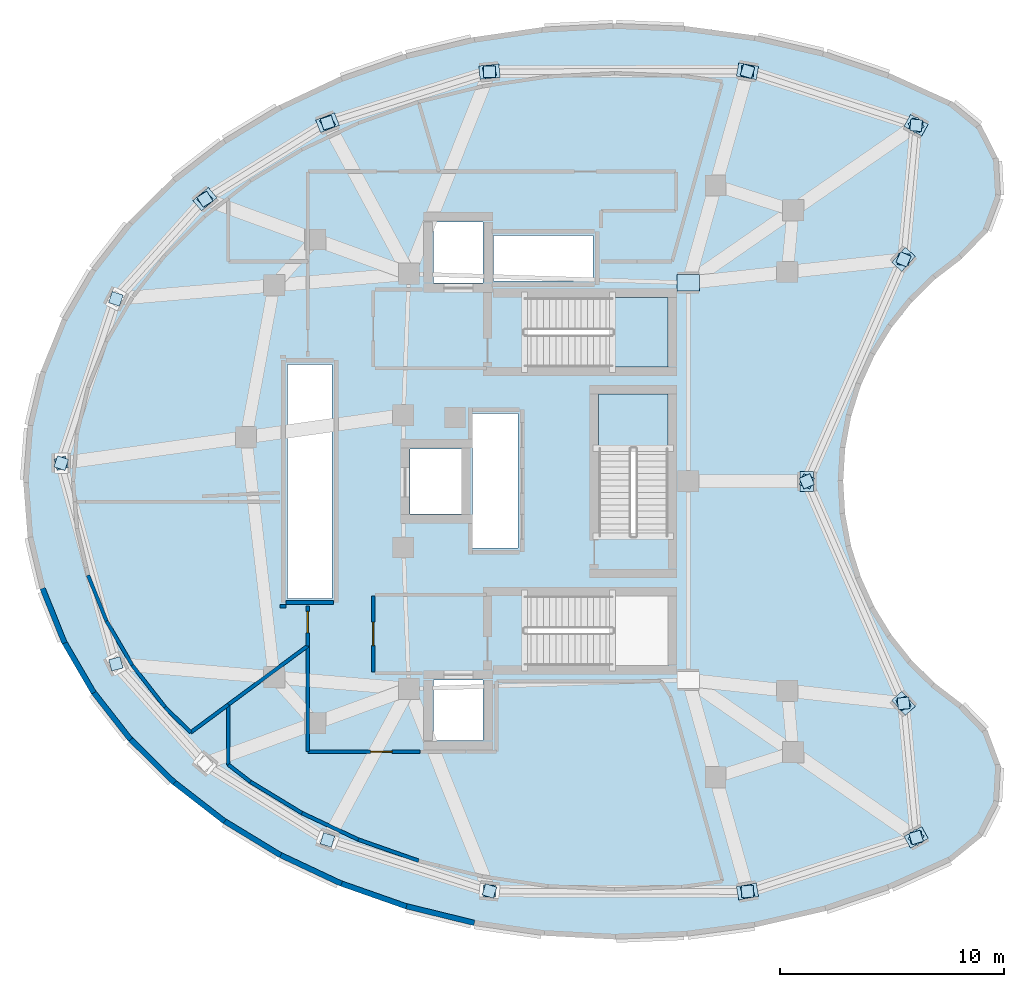
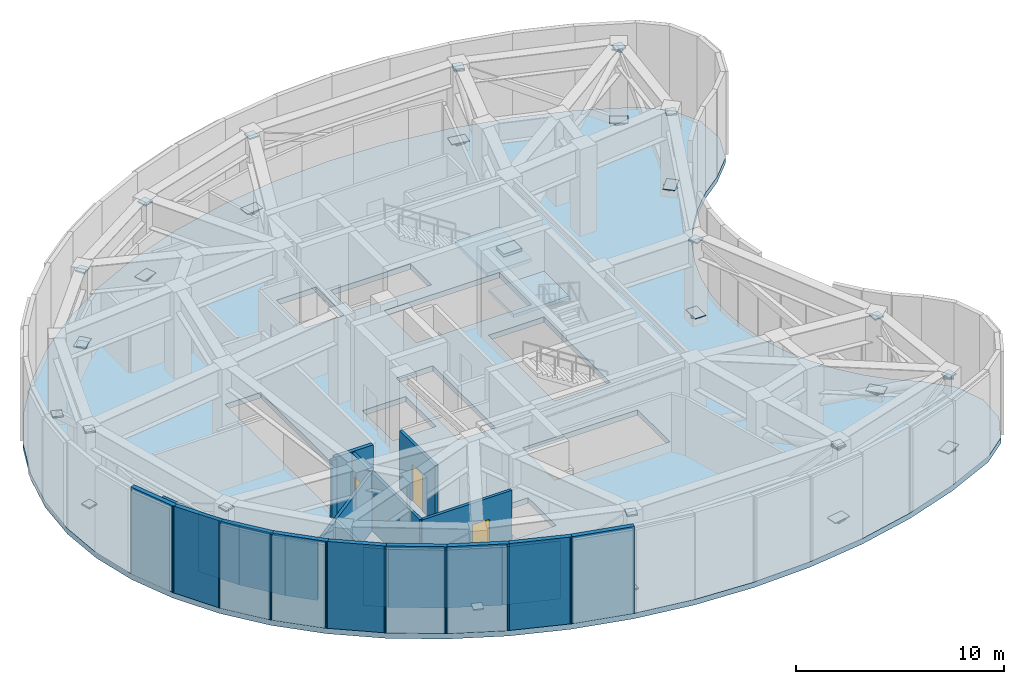
# One storey, part 3 of 9: 43 plates, 26 walls, 3 doors, 3 slabs, 3 openings, 2 elements without a shape of their own.
"""IFC4 building model written with IfcOpenShell, lengths in metres."""

from ifc_helpers import new_model, si_unit, direction, frame, frame_2d, origin, origin_2d, place, context, subcontext, project, spatial, polyline, rectangle, outline, extrude, material, layer, layer_set, type_object, element, fill, aggregate, save


model = new_model("IFC4")

# Units and contexts
model_context = context("Model", 3, precision=1e-05, world=origin(), true_north=direction((0.0, 1.0)))
body_context = subcontext(model_context, "Body", "Model", "MODEL_VIEW")
ifc_project = project(units=[si_unit("LENGTHUNIT", "METRE"), si_unit("AREAUNIT", "SQUARE_METRE"), si_unit("VOLUMEUNIT", "CUBIC_METRE"), si_unit("PLANEANGLEUNIT", "RADIAN"), si_unit("MASSUNIT", "GRAM", prefix="KILO")], contexts=[model_context])

# Site, building, storey
site_placement = place(None, origin())
site = spatial("IfcSite", under=ifc_project, at=site_placement, CompositionType="ELEMENT")
building_placement = place(site_placement, origin())
building = spatial("IfcBuilding", under=site, at=building_placement, Name="Korentha Bioscience Tower", CompositionType="ELEMENT")
storey_placement = place(building_placement, frame((0.0, 0.0, 277.199951171875)))
storey = spatial("IfcBuildingStorey", under=building, at=storey_placement, Name="L64", CompositionType="ELEMENT", Elevation=277.199951171875)

# Plates
ifc_material_1 = material(Name="Steel S355", Category="steel")
ifc_layer_1 = layer(ifc_material_1, 0.031982421875, Name="Steel S355")
ifc_layer_set_1 = layer_set([ifc_layer_1], Name="Steel S355 (KN-01)")
plate_type_1 = type_object("IfcPlateType", Name="Belt-Truss Kink Gusset Plate 900x600x32", PredefinedType="USERDEFINED", material=ifc_layer_set_1)
for number, where, z_axis, x_axis, name in (
    (1, (47.7060546875, 42.873046875, 0.43408203125), (0.0, 0.0, 1.0), (-0.874535078577, 0.484962262797, 0.0), "L64 Belt-Truss Kink Node Gusset KN-01"),
    (2, (40.189453125, 45.2822265625, 0.43408203125), (0.0, 0.0, 1.0), (-0.984868307662, 0.173304404339, 0.0), "L64 Belt-Truss Kink Node Gusset KN-02"),
    (3, (28.68798828125, 45.2607421875, 0.43408203125), (0.0, 0.0, 1.0), (0.995462868748, 0.095150811579, 0.0), "L64 Belt-Truss Kink Node Gusset KN-03"),
    (4, (21.468505859375, 42.986328125, 0.43408203125), (0.0, 0.0, 1.0), (0.930225540858, 0.366988341962, 0.0), "L64 Belt-Truss Kink Node Gusset KN-04"),
    (5, (16.002685546875, 39.57861328125, 0.43408203125), (0.0, 0.0, 1.0), (0.764246456939, 0.644924300253, 0.0), "L64 Belt-Truss Kink Node Gusset KN-05"),
    (6, (40.189453125, 8.7177734375, 0.43408203125), (0.0, 0.0, 1.0), (0.984868307662, 0.173304404339, 0.0), "L64 Belt-Truss Kink Node Gusset KN-12"),
    (7, (47.7060546875, 11.126953125, 0.43408203125), (0.0, 0.0, 1.0), (0.874535078577, 0.484962262797, 0.0), "L64 Belt-Truss Kink Node Gusset KN-13"),
    (8, (47.1455078125, 17.1044921875, 0.43408203125), (0.0, 0.0, 1.0), (-0.669130606359, 0.743144825477, 0.0), "L64 Belt-Truss Kink Node Gusset KN-14"),
    (9, (42.833984375, 27.0, 0.43408203125), (0.0, 0.0, 1.0), (0.0, 1.0, 0.0), "L64 Belt-Truss Kink Node Gusset KN-15"),
    (10, (47.1455078125, 36.8955078125, 0.43408203125), (0.0, 0.0, 1.0), (0.669130606359, 0.743144825477, 0.0), "L64 Belt-Truss Kink Node Gusset KN-16"),
):
    element("IfcPlate", number, at=place(storey_placement, frame(where, z_axis=z_axis, x_axis=x_axis)), inside=storey, type_object=plate_type_1, Name=name, ObjectType="GUSSET_PLATE", PredefinedType="USERDEFINED", context=body_context, shape_type="SweptSolid", body=[
        extrude(rectangle(XDim=0.89990234375, YDim=0.60009765625, at=origin_2d()), origin(), (0.0, 0.0, 1.0), 0.031982421875),
    ])
ifc_layer_2 = layer(ifc_material_1, 0.080078125, Name="Steel S355")
ifc_layer_set_2 = layer_set([ifc_layer_2], Name="Steel S355 (CP-01)")
plate_type_2 = type_object("IfcPlateType", Name="Hollow Section End Cap Plate 520x520x80", PredefinedType="USERDEFINED", material=ifc_layer_set_2)
for number, where, z_axis, x_axis, name in (
    (11, (47.7060546875, 42.873046875, 0.31005859375), (0.0, 0.0, 1.0), (-0.952289323906, 0.305196729298, 0.0), "L64 Belt-Truss 01 End Cap 1"),
    (12, (40.189453125, 45.2822265625, 4.7099609375), (0.0, 0.0, 1.0), (-0.952289323906, 0.305196729298, 0.0), "L64 Belt-Truss 01 End Cap 2"),
    (13, (40.189453125, 45.2822265625, 0.31005859375), (0.0, 0.0, 1.0), (0.999998157065, 0.001919860998, 0.0), "L64 Belt-Truss 02 End Cap 1"),
    (14, (28.68798828125, 45.2607421875, 4.7099609375), (0.0, 0.0, 1.0), (0.999998157065, 0.001919860998, 0.0), "L64 Belt-Truss 02 End Cap 2"),
    (15, (28.68798828125, 45.2607421875, 0.31005859375), (0.0, 0.0, 1.0), (0.953769419285, 0.300539339916, 0.0), "L64 Belt-Truss 03 End Cap 1"),
    (16, (21.468505859375, 42.986328125, 4.7099609375), (0.0, 0.0, 1.0), (0.953769419285, 0.300539339916, 0.0), "L64 Belt-Truss 03 End Cap 2"),
    (17, (21.468505859375, 42.986328125, 0.31005859375), (0.0, 0.0, 1.0), (0.848602561216, 0.529030899945, 0.0), "L64 Belt-Truss 04 End Cap 1"),
    (18, (16.002685546875, 39.57861328125, 4.7099609375), (0.0, 0.0, 1.0), (0.848602561216, 0.529030899945, 0.0), "L64 Belt-Truss 04 End Cap 2"),
    (19, (16.002685546875, 39.57861328125, 0.31005859375), (0.0, 0.0, 1.0), (0.66614204858, 0.745824893064, 0.0), "L64 Belt-Truss 05 End Cap 1"),
    (20, (12.034423828125, 35.135986328125, 0.31005859375), (0.0, 0.0, 1.0), (0.315649036947, 0.948876011644, 0.0), "L64 Belt-Truss 06 End Cap 1"),
    (21, (9.597412109375, 27.810302734375, 4.7099609375), (0.0, 0.0, 1.0), (0.315649036947, 0.948876011644, 0.0), "L64 Belt-Truss 06 End Cap 2"),
    (22, (9.597412109375, 27.810302734375, 0.31005859375), (0.0, 0.0, 1.0), (-0.262862823299, 0.964833216741, 0.0), "L64 Belt-Truss 07 End Cap 1"),
    (23, (12.034423828125, 18.864013671875, 4.7099609375), (0.0, 0.0, 1.0), (-0.262862823299, 0.964833216741, 0.0), "L64 Belt-Truss 07 End Cap 2"),
    (24, (21.468505859375, 11.013671875, 0.31005859375), (0.0, 0.0, 1.0), (-0.953769419285, 0.300539339916, 0.0), "L64 Belt-Truss 10 End Cap 1"),
    (25, (28.68798828125, 8.7392578125, 4.7099609375), (0.0, 0.0, 1.0), (-0.953769419285, 0.300539339916, 0.0), "L64 Belt-Truss 10 End Cap 2"),
    (26, (28.68798828125, 8.7392578125, 0.31005859375), (0.0, 0.0, 1.0), (-0.999998157065, 0.001919860998, 0.0), "L64 Belt-Truss 11 End Cap 1"),
    (27, (40.189453125, 8.7177734375, 4.7099609375), (0.0, 0.0, 1.0), (-0.999998157065, 0.001919860998, 0.0), "L64 Belt-Truss 11 End Cap 2"),
    (28, (40.189453125, 8.7177734375, 0.31005859375), (0.0, 0.0, 1.0), (0.952289323906, 0.305196729298, 0.0), "L64 Belt-Truss 12 End Cap 1"),
    (29, (47.7060546875, 11.126953125, 4.7099609375), (0.0, 0.0, 1.0), (0.952289323906, 0.305196729298, 0.0), "L64 Belt-Truss 12 End Cap 2"),
    (30, (47.7060546875, 11.126953125, 0.31005859375), (0.0, 0.0, 1.0), (-0.093413257074, 0.995627421982, 0.0), "L64 Belt-Truss 13 End Cap 1"),
    (31, (47.1455078125, 17.1044921875, 4.7099609375), (0.0, 0.0, 1.0), (-0.093413257074, 0.995627421982, 0.0), "L64 Belt-Truss 13 End Cap 2"),
    (32, (47.1455078125, 17.1044921875, 0.31005859375), (0.0, 0.0, 1.0), (-0.39938920041, 0.91678147156, 0.0), "L64 Belt-Truss 14 End Cap 1"),
    (33, (42.833984375, 27.0, 4.7099609375), (0.0, 0.0, 1.0), (-0.39938920041, 0.91678147156, 0.0), "L64 Belt-Truss 14 End Cap 2"),
    (34, (42.833984375, 27.0, 0.31005859375), (0.0, 0.0, 1.0), (0.39938920041, 0.91678147156, 0.0), "L64 Belt-Truss 15 End Cap 1"),
    (35, (47.1455078125, 36.8955078125, 4.7099609375), (0.0, 0.0, 1.0), (0.39938920041, 0.91678147156, 0.0), "L64 Belt-Truss 15 End Cap 2"),
    (36, (47.1455078125, 36.8955078125, 0.31005859375), (0.0, 0.0, 1.0), (0.093413257074, 0.995627421982, 0.0), "L64 Belt-Truss 16 End Cap 1"),
    (37, (47.7060546875, 42.873046875, 4.7099609375), (0.0, 0.0, 1.0), (0.093413257074, 0.995627421982, 0.0), "L64 Belt-Truss 16 End Cap 2"),
    (38, (47.7060546875, 42.873046875, 4.610107421875), (0.0, 0.0, 1.0), (0.822541272729, 0.56870541993, 0.0), "L64 Outrigger 01 End Cap 2"),
    (39, (40.189453125, 45.2822265625, 4.610107421875), (0.0, 0.0, 1.0), (0.26942409447, 0.963021628687, 0.0), "L64 Outrigger 02 End Cap 2"),
    (40, (40.189453125, 8.7177734375, 4.610107421875), (0.0, 0.0, 1.0), (-0.26942409447, 0.963021628687, 0.0), "L64 Outrigger 03 End Cap 2"),
    (41, (47.7060546875, 11.126953125, 4.610107421875), (0.0, 0.0, 1.0), (-0.822541272729, 0.56870541993, 0.0), "L64 Outrigger 04 End Cap 2"),
):
    element("IfcPlate", number, at=place(storey_placement, frame(where, z_axis=z_axis, x_axis=x_axis)), inside=storey, type_object=plate_type_2, Name=name, ObjectType="CAP_PLATE", PredefinedType="USERDEFINED", context=body_context, shape_type="SweptSolid", body=[
        extrude(rectangle(XDim=0.52001953125, YDim=0.52001953125, at=origin_2d()), origin(), (0.0, 0.0, 1.0), 0.080078125),
    ])

# Stair, slab
ifc_material_2 = material(Name="Precast Concrete C50", Category="concrete")
stair_type = type_object("IfcStairType", Name="Core Exit Dog-Leg Stair 1450", PredefinedType="HALF_TURN_STAIR", material=ifc_material_2)
stair_1_placement = place(storey_placement, origin())
stair_1 = element("IfcStair", 42, at=stair_1_placement, inside=storey, type_object=stair_type, Name="L64 Tower North Pressurized Exit Stair ST-1", PredefinedType="HALF_TURN_STAIR")
ifc_material_3 = material(Name="Concrete C50", Category="concrete")
ifc_layer_3 = layer(ifc_material_3, 0.199951171875, Name="Concrete C50")
ifc_layer_set_3 = layer_set([ifc_layer_3], Name="Concrete C50 (SL-LND)")
slab_type_1 = type_object("IfcSlabType", Name="Landing Slab 200", PredefinedType="LANDING", material=ifc_layer_set_3)
slab_1_placement = place(storey_placement, frame((0.0, 0.0, 2.5)))
slab_1 = element("IfcSlab", 43, at=slab_1_placement, type_object=slab_type_1, Name="ST-1 landing 1", PredefinedType="LANDING", context=body_context, shape_type="SweptSolid", body=[
    extrude(outline(polyline([(34.169921875, 32.10009765625), (36.64990234375, 32.10009765625), (36.64990234375, 35.199951171875), (34.169921875, 35.199951171875), (34.169921875, 32.10009765625)])), origin(), (0.0, 0.0, 1.0), 0.199951171875),
])
aggregate(stair_1, [slab_1])

stair_2_placement = place(storey_placement, origin())
stair_2 = element("IfcStair", 44, at=stair_2_placement, inside=storey, type_object=stair_type, Name="L64 Tower Central Pressurized Exit Stair ST-3", PredefinedType="HALF_TURN_STAIR")
slab_2_placement = place(storey_placement, frame((0.0, 0.0, 2.5)))
slab_2 = element("IfcSlab", 45, at=slab_2_placement, type_object=slab_type_1, Name="ST-3 landing 1", PredefinedType="LANDING", context=body_context, shape_type="SweptSolid", body=[
    extrude(outline(polyline([(36.64990234375, 28.469970703125), (36.64990234375, 30.89990234375), (33.550048828125, 30.89990234375), (33.550048828125, 28.469970703125), (36.64990234375, 28.469970703125)])), origin(), (0.0, 0.0, 1.0), 0.199951171875),
])
aggregate(stair_2, [slab_2])

# Slab
ifc_layer_4 = layer(ifc_material_3, 0.320068359375, Name="Concrete C50")
ifc_layer_set_4 = layer_set([ifc_layer_4], Name="Concrete C50 (SL-M320)")
slab_type_2 = type_object("IfcSlabType", Name="Mechanical Plant Heavy Slab 320", PredefinedType="FLOOR", material=ifc_layer_set_4)
slab_3_placement = place(storey_placement, frame((0.0, 0.0, -0.320068359375)))
element("IfcSlab", 46, at=slab_3_placement, inside=storey, type_object=slab_type_2, Name="L64 Tower Structural Floor Slab", PredefinedType="FLOOR", context=body_context, shape_type="SweptSolid", body=[
    extrude(outline(polyline([(49.310302734375, 43.924072265625), (46.562744140625, 45.1708984375), (43.640380859375, 46.15576171875), (40.58544921875, 46.86376953125), (37.4423828125, 47.284912109375), (34.256103515625, 47.413330078125), (31.07275390625, 47.2470703125), (27.9384765625, 46.788330078125), (24.898193359375, 46.0439453125), (21.99609375, 45.0244140625), (19.27392578125, 43.744873046875), (16.771240234375, 42.223388671875), (14.52392578125, 40.482177734375), (12.564453125, 38.54638671875), (10.921142578125, 36.443603515625), (9.61767578125, 34.20458984375), (8.673095703125, 31.86181640625), (8.1005859375, 29.448486328125), (7.908935546875, 27.0), (8.1005859375, 24.551513671875), (8.673095703125, 22.13818359375), (9.61767578125, 19.79541015625), (10.921142578125, 17.556396484375), (12.564453125, 15.45361328125), (14.52392578125, 13.517822265625), (16.771240234375, 11.776611328125), (19.27392578125, 10.255126953125), (21.99609375, 8.9755859375), (24.898193359375, 7.9560546875), (27.9384765625, 7.211669921875), (31.07275390625, 6.7529296875), (34.256103515625, 6.586669921875), (37.4423828125, 6.715087890625), (40.58544921875, 7.13623046875), (43.640380859375, 7.84423828125), (46.562744140625, 8.8291015625), (49.310302734375, 10.075927734375), (50.6123046875, 11.140380859375), (51.3759765625, 12.638671875), (51.47265625, 14.3173828125), (50.8857421875, 15.893310546875), (49.714599609375, 17.10009765625), (48.55810546875, 17.98779296875), (47.51806640625, 19.009765625), (46.6103515625, 20.15087890625), (45.8486328125, 21.393798828125), (45.243896484375, 22.720703125), (44.8056640625, 24.111083984375), (44.539794921875, 25.544677734375), (44.450927734375, 27.0), (44.539794921875, 28.455322265625), (44.8056640625, 29.888916015625), (45.243896484375, 31.279296875), (45.8486328125, 32.606201171875), (46.6103515625, 33.84912109375), (47.51806640625, 34.990234375), (48.55810546875, 36.01220703125), (49.714599609375, 36.89990234375), (50.8857421875, 38.106689453125), (51.47265625, 39.6826171875), (51.3759765625, 41.361328125), (50.6123046875, 42.859619140625), (49.310302734375, 43.924072265625)]), holes=[polyline([(30.25, 32.10009765625), (36.64990234375, 32.10009765625), (36.64990234375, 35.199951171875), (30.25, 35.199951171875), (30.25, 32.10009765625)]), polyline([(30.25, 18.800048828125), (36.64990234375, 18.800048828125), (36.64990234375, 21.89990234375), (30.25, 21.89990234375), (30.25, 18.800048828125)]), polyline([(36.64990234375, 24.550048828125), (36.64990234375, 30.89990234375), (33.550048828125, 30.89990234375), (33.550048828125, 24.550048828125), (36.64990234375, 24.550048828125)]), polyline([(19.679931640625, 21.780029296875), (21.669921875, 21.780029296875), (21.669921875, 32.219970703125), (19.679931640625, 32.219970703125), (19.679931640625, 21.780029296875)]), polyline([(27.929931640625, 24.030029296875), (29.969970703125, 24.030029296875), (29.969970703125, 30.02001953125), (27.929931640625, 30.02001953125), (27.929931640625, 24.030029296875)]), polyline([(28.860107421875, 35.93994140625), (33.31005859375, 35.93994140625), (33.31005859375, 37.9599609375), (28.860107421875, 37.9599609375), (28.860107421875, 35.93994140625)]), polyline([(26.199951171875, 15.449951171875), (28.39990234375, 15.449951171875), (28.39990234375, 18.14990234375), (26.199951171875, 18.14990234375), (26.199951171875, 15.449951171875)]), polyline([(26.199951171875, 35.85009765625), (28.39990234375, 35.85009765625), (28.39990234375, 38.550048828125), (26.199951171875, 38.550048828125), (26.199951171875, 35.85009765625)]), polyline([(25.14990234375, 25.550048828125), (27.550048828125, 25.550048828125), (27.550048828125, 28.449951171875), (25.14990234375, 28.449951171875), (25.14990234375, 25.550048828125)])]), origin(), (0.0, 0.0, 1.0), 0.320068359375),
])

# Plates
ifc_layer_5 = layer(ifc_material_1, 0.035888671875, Name="Steel S355")
ifc_layer_set_5 = layer_set([ifc_layer_5], Name="Steel S355 (KN-02)")
plate_type_3 = type_object("IfcPlateType", Name="Outrigger Core Node Gusset Plate 1000x750x36", PredefinedType="USERDEFINED", material=ifc_layer_set_5)
for number, where, z_axis, x_axis, name in (
    (47, (37.550048828125, 35.85009765625, 0.58203125), (0.0, 0.0, 1.0), (1.0, 0.0, 0.0), "L64 Outrigger Core Gusset KN-01"),
    (48, (37.550048828125, 35.85009765625, 0.73193359375), (0.0, 0.0, 1.0), (1.0, 0.0, 0.0), "L64 Outrigger Core Gusset KN-02"),
):
    element("IfcPlate", number, at=place(storey_placement, frame(where, z_axis=z_axis, x_axis=x_axis)), inside=storey, type_object=plate_type_3, Name=name, ObjectType="GUSSET_PLATE", PredefinedType="USERDEFINED", context=body_context, shape_type="SweptSolid", body=[
        extrude(rectangle(XDim=1.0, YDim=0.75, at=origin_2d()), origin(), (0.0, 0.0, 1.0), 0.035888671875),
    ])

# Wall, opening, door
ifc_material_4 = material(Name="Gypsum-Clad Steel Stud", Category="steel")
ifc_layer_6 = layer(ifc_material_4, 0.159912109375, Name="Gypsum-Clad Steel Stud")
ifc_layer_set_6 = layer_set([ifc_layer_6], Name="Gypsum-Clad Steel Stud (IW-C160)")
wall_type_1 = type_object("IfcWallType", Name="Fire-Rated Corridor Partition Wall 160", PredefinedType="PARTITIONING", material=ifc_layer_set_6)
wall_1_placement = place(storey_placement, frame((23.5, 18.5, 0.0), z_axis=(0.0, 0.0, 1.0), x_axis=(0.0, 1.0, 0.0)))
wall_1 = element("IfcWall", 49, at=wall_1_placement, inside=storey, type_object=wall_type_1, Name="L64 FFLS-CW Rated Enclosure Wall", PredefinedType="PARTITIONING", context=body_context, shape_type="SweptSolid", body=[
    extrude(rectangle(XDim=3.39990234375, YDim=0.159912109375, at=frame_2d((1.699951171875, 0.0))), origin(), (0.0, 0.0, 1.0), 3.41015625),
])
opening_1_placement = place(wall_1_placement, frame((1.175048828125, 0.0, 0.0)))
opening_1 = element("IfcOpeningElement", 50, at=opening_1_placement, cuts=wall_1, Name="Opening FD-90L", PredefinedType="OPENING", context=body_context, shape_type="SweptSolid", body=[
    extrude(rectangle(XDim=1.050048828125, YDim=2.14990234375, at=frame_2d((0.52490234375, 1.074951171875))), frame((0.0, 0.0947265625, 0.0), z_axis=(0.0, -1.0, 0.0), x_axis=(1.0, 0.0, 0.0)), (0.0, 0.0, 1.0), 0.189697265625),
])
ifc_material_5 = material(Name="Powder-Coated Fire-Rated Steel", Category="steel")
door_type_1 = type_object("IfcDoorType", Name="Stairwell Fire Exit Door 1050x2150 Left", OperationType="SINGLE_SWING_LEFT", PredefinedType="DOOR", material=ifc_material_5)
door_1_placement = place(opening_1_placement, origin())
door_1 = element("IfcDoor", 51, at=door_1_placement, inside=storey, type_object=door_type_1, Name="L64 South Firefighting Lobby Door", OperationType="SINGLE_SWING_LEFT", OverallHeight=2.14990234375, OverallWidth=1.050048828125, PredefinedType="DOOR", context=body_context, shape_type="SweptSolid", body=[
    extrude(rectangle(XDim=1.050048828125, YDim=2.14990234375, at=frame_2d((0.52490234375, 1.074951171875))), frame((0.0, 0.02490234375, 0.0), z_axis=(0.0, -1.0, 0.0), x_axis=(1.0, 0.0, 0.0)), (0.0, 0.0, 1.0), 0.050048828125),
])
fill(opening_1, door_1)

wall_2_placement = place(storey_placement, frame((20.590087890625, 21.43994140625, 0.0), z_axis=(0.0, 0.0, 1.0), x_axis=(0.0, -1.0, 0.0)))
wall_2 = element("IfcWall", 52, at=wall_2_placement, inside=storey, type_object=wall_type_1, Name="L64 Laboratory Make-Up Air Handling Plant 01 Entrance Wall", PredefinedType="PARTITIONING", context=body_context, shape_type="SweptSolid", body=[
    extrude(rectangle(XDim=1.7705078125, YDim=0.159912109375, at=frame_2d((0.88525390625, 0.0))), origin(), (0.0, 0.0, 1.0), 3.41015625),
])
opening_2_placement = place(wall_2_placement, frame((0.239990234375, 0.0, 0.0)))
opening_2 = element("IfcOpeningElement", 53, at=opening_2_placement, cuts=wall_2, Name="Opening FD-120D", PredefinedType="OPENING", context=body_context, shape_type="SweptSolid", body=[
    extrude(rectangle(XDim=0.949951171875, YDim=2.14990234375, at=frame_2d((0.47509765625, 1.074951171875))), frame((0.0, 0.0947265625, 0.0), z_axis=(0.0, -1.0, 0.0), x_axis=(1.0, 0.0, 0.0)), (0.0, 0.0, 1.0), 0.189697265625),
])
ifc_material_6 = material(Name="Heavy-Duty Insulated Steel", Category="steel")
door_type_2 = type_object("IfcDoorType", Name="Plant & Riser Fire Door 950x2150 Left", OperationType="SINGLE_SWING_LEFT", PredefinedType="DOOR", material=ifc_material_6)
door_2_placement = place(opening_2_placement, origin())
door_2 = element("IfcDoor", 54, at=door_2_placement, inside=storey, type_object=door_type_2, Name="L64 Laboratory Make-Up Air Handling Plant 01 Door", OperationType="SINGLE_SWING_LEFT", OverallHeight=2.14990234375, OverallWidth=0.949951171875, PredefinedType="DOOR", context=body_context, shape_type="SweptSolid", body=[
    extrude(rectangle(XDim=0.949951171875, YDim=2.14990234375, at=frame_2d((0.47509765625, 1.074951171875))), frame((0.0, 0.02490234375, 0.0), z_axis=(0.0, -1.0, 0.0), x_axis=(1.0, 0.0, 0.0)), (0.0, 0.0, 1.0), 0.050048828125),
])
fill(opening_2, door_2)

wall_3_placement = place(storey_placement, frame((20.60009765625, 14.93994140625, 0.0), z_axis=(0.0, 0.0, 1.0), x_axis=(1.0, 0.0, 0.0)))
wall_3 = element("IfcWall", 55, at=wall_3_placement, inside=storey, type_object=wall_type_1, Name="L64 Chilled-Water Plate Heat-Exchanger Plant 02 Entrance Wall", PredefinedType="PARTITIONING", context=body_context, shape_type="SweptSolid", body=[
    extrude(rectangle(XDim=5.0, YDim=0.159912109375, at=frame_2d((2.5, 0.0))), origin(), (0.0, 0.0, 1.0), 3.41015625),
])
opening_3_placement = place(wall_3_placement, frame((2.79443359375, 0.0, 0.0)))
opening_3 = element("IfcOpeningElement", 56, at=opening_3_placement, cuts=wall_3, Name="Opening FD-120D", PredefinedType="OPENING", context=body_context, shape_type="SweptSolid", body=[
    extrude(rectangle(XDim=0.949951171875, YDim=2.14990234375, at=frame_2d((0.47509765625, 1.074951171875))), frame((0.0, 0.0947265625, 0.0), z_axis=(0.0, -1.0, 0.0), x_axis=(1.0, 0.0, 0.0)), (0.0, 0.0, 1.0), 0.189697265625),
])
door_3_placement = place(opening_3_placement, origin())
door_3 = element("IfcDoor", 57, at=door_3_placement, inside=storey, type_object=door_type_2, Name="L64 Chilled-Water Plate Heat-Exchanger Plant 02 Door", OperationType="SINGLE_SWING_LEFT", OverallHeight=2.14990234375, OverallWidth=0.949951171875, PredefinedType="DOOR", context=body_context, shape_type="SweptSolid", body=[
    extrude(rectangle(XDim=0.949951171875, YDim=2.14990234375, at=frame_2d((0.47509765625, 1.074951171875))), frame((0.0, 0.02490234375, 0.0), z_axis=(0.0, -1.0, 0.0), x_axis=(1.0, 0.0, 0.0)), (0.0, 0.0, 1.0), 0.050048828125),
])
fill(opening_3, door_3)

# Walls
wall_4_placement = place(storey_placement, frame((19.35009765625, 21.43994140625, 0.0), z_axis=(0.0, 0.0, 1.0), x_axis=(1.0, 0.0, 0.0)))
element("IfcWall", 58, at=wall_4_placement, inside=storey, type_object=wall_type_1, Name="L64 Interior Partition 009", PredefinedType="PARTITIONING", context=body_context, shape_type="SweptSolid", body=[
    extrude(rectangle(XDim=0.27001953125, YDim=0.159912109375, at=frame_2d((0.135009765625, 0.0))), origin(), (0.0, 0.0, 1.0), 3.41015625),
])
wall_5_placement = place(storey_placement, frame((20.590087890625, 19.66943359375, 0.0), z_axis=(0.0, 0.0, 1.0), x_axis=(-0.803870543648, -0.594804294752, 0.0)))
element("IfcWall", 59, at=wall_5_placement, inside=storey, type_object=wall_type_1, Name="L64 Interior Partition 010", PredefinedType="PARTITIONING", context=body_context, shape_type="SweptSolid", body=[
    extrude(rectangle(XDim=4.4013671875, YDim=0.159912109375, at=frame_2d((2.20068359375, 0.0))), origin(), (0.0, 0.0, 1.0), 3.41015625),
])
wall_6_placement = place(storey_placement, frame((17.0478515625, 17.04833984375, 0.0), z_axis=(0.0, 0.0, 1.0), x_axis=(-0.803879877865, -0.594791679467, 0.0)))
element("IfcWall", 60, at=wall_6_placement, inside=storey, type_object=wall_type_1, Name="L64 Interior Partition 011", PredefinedType="PARTITIONING", context=body_context, shape_type="SweptSolid", body=[
    extrude(rectangle(XDim=2.090087890625, YDim=0.159912109375, at=frame_2d((1.044921875, 0.0))), origin(), (0.0, 0.0, 1.0), 3.41015625),
])
wall_7_placement = place(storey_placement, frame((15.367431640625, 15.80517578125, 0.0), z_axis=(0.0, 0.0, 1.0), x_axis=(-0.711354464371, 0.702833426937, 0.0)))
element("IfcWall", 61, at=wall_7_placement, inside=storey, type_object=wall_type_1, Name="L64 Interior Partition 012", PredefinedType="PARTITIONING", context=body_context, shape_type="SweptSolid", body=[
    extrude(rectangle(XDim=1.6044921875, YDim=0.159912109375, at=frame_2d((0.80224609375, 0.0))), origin(), (0.0, 0.0, 1.0), 3.41015625),
])
wall_8_placement = place(storey_placement, frame((14.225830078125, 16.93310546875, 0.0), z_axis=(0.0, 0.0, 1.0), x_axis=(-0.615789688094, 0.787910566015, 0.0)))
element("IfcWall", 62, at=wall_8_placement, inside=storey, type_object=wall_type_1, Name="L64 Interior Partition 013", PredefinedType="PARTITIONING", context=body_context, shape_type="SweptSolid", body=[
    extrude(rectangle(XDim=2.37451171875, YDim=0.159912109375, at=frame_2d((1.187255859375, 0.0))), origin(), (0.0, 0.0, 1.0), 3.41015625),
])
wall_9_placement = place(storey_placement, frame((12.763427734375, 18.80419921875, 0.0), z_axis=(0.0, 0.0, 1.0), x_axis=(-0.503091477378, 0.864233166101, 0.0)))
element("IfcWall", 63, at=wall_9_placement, inside=storey, type_object=wall_type_1, Name="L64 Interior Partition 014", PredefinedType="PARTITIONING", context=body_context, shape_type="SweptSolid", body=[
    extrude(rectangle(XDim=2.27880859375, YDim=0.159912109375, at=frame_2d((1.139404296875, 0.0))), origin(), (0.0, 0.0, 1.0), 3.41015625),
])
wall_10_placement = place(storey_placement, frame((11.61669921875, 20.774169921875, 0.0), z_axis=(0.0, 0.0, 1.0), x_axis=(-0.373992983989, 0.927431532743, 0.0)))
element("IfcWall", 64, at=wall_10_placement, inside=storey, type_object=wall_type_1, Name="L64 Interior Partition 015", PredefinedType="PARTITIONING", context=body_context, shape_type="SweptSolid", body=[
    extrude(rectangle(XDim=2.19873046875, YDim=0.159912109375, at=frame_2d((1.099365234375, 0.0))), origin(), (0.0, 0.0, 1.0), 3.41015625),
])
wall_11_placement = place(storey_placement, frame((25.531494140625, 10.086669921875, 0.0), z_axis=(0.0, 0.0, 1.0), x_axis=(-0.94348038034, 0.331428381273, 0.0)))
element("IfcWall", 65, at=wall_11_placement, inside=storey, type_object=wall_type_1, Name="L64 Interior Partition 030", PredefinedType="PARTITIONING", context=body_context, shape_type="SweptSolid", body=[
    extrude(rectangle(XDim=2.8544921875, YDim=0.159912109375, at=frame_2d((1.42724609375, 0.0))), origin(), (0.0, 0.0, 1.0), 3.41015625),
])
wall_12_placement = place(storey_placement, frame((22.83837890625, 11.03271484375, 0.0), z_axis=(0.0, 0.0, 1.0), x_axis=(-0.904982057936, 0.425449732416, 0.0)))
element("IfcWall", 66, at=wall_12_placement, inside=storey, type_object=wall_type_1, Name="L64 Interior Partition 031", PredefinedType="PARTITIONING", context=body_context, shape_type="SweptSolid", body=[
    extrude(rectangle(XDim=2.776123046875, YDim=0.159912109375, at=frame_2d((1.38818359375, 0.0))), origin(), (0.0, 0.0, 1.0), 3.41015625),
])
wall_13_placement = place(storey_placement, frame((20.32568359375, 12.2138671875, 0.0), z_axis=(0.0, 0.0, 1.0), x_axis=(-0.854493447328, 0.519462172322, 0.0)))
element("IfcWall", 67, at=wall_13_placement, inside=storey, type_object=wall_type_1, Name="L64 Interior Partition 032", PredefinedType="PARTITIONING", context=body_context, shape_type="SweptSolid", body=[
    extrude(rectangle(XDim=2.6845703125, YDim=0.159912109375, at=frame_2d((1.34228515625, 0.0))), origin(), (0.0, 0.0, 1.0), 3.41015625),
])
wall_14_placement = place(storey_placement, frame((18.031494140625, 13.6083984375, 0.0), z_axis=(0.0, 0.0, 1.0), x_axis=(-0.79053906344, 0.61241161744, 0.0)))
element("IfcWall", 68, at=wall_14_placement, inside=storey, type_object=wall_type_1, Name="L64 Interior Partition 033", PredefinedType="PARTITIONING", context=body_context, shape_type="SweptSolid", body=[
    extrude(rectangle(XDim=1.239013671875, YDim=0.159912109375, at=frame_2d((0.61962890625, 0.0))), origin(), (0.0, 0.0, 1.0), 3.41015625),
])
wall_15_placement = place(storey_placement, frame((17.052001953125, 14.367431640625, 0.0), z_axis=(0.0, 0.0, 1.0), x_axis=(0.0, 1.0, 0.0)))
element("IfcWall", 69, at=wall_15_placement, inside=storey, type_object=wall_type_1, Name="L64 Interior Partition 034", PredefinedType="PARTITIONING", context=body_context, shape_type="SweptSolid", body=[
    extrude(rectangle(XDim=2.671630859375, YDim=0.159912109375, at=frame_2d((1.3359375, 0.0))), origin(), (0.0, 0.0, 1.0), 3.41015625),
])
wall_16_placement = place(storey_placement, frame((20.590087890625, 19.656982421875, 0.0), z_axis=(0.0, 0.0, 1.0), x_axis=(0.0, -1.0, 0.0)))
element("IfcWall", 70, at=wall_16_placement, inside=storey, type_object=wall_type_1, Name="L64 Interior Partition 035", PredefinedType="PARTITIONING", context=body_context, shape_type="SweptSolid", body=[
    extrude(rectangle(XDim=4.70703125, YDim=0.159912109375, at=frame_2d((2.353515625, 0.0))), origin(), (0.0, 0.0, 1.0), 3.41015625),
])
ifc_material_7 = material(Name="Autoclaved Aerated Concrete Block C25", Category="concrete")
ifc_layer_7 = layer(ifc_material_7, 0.199951171875, Name="Autoclaved Aerated Concrete Block C25")
ifc_layer_set_7 = layer_set([ifc_layer_7], Name="Autoclaved Aerated Concrete Block C25 (IW-S200)")
wall_type_2 = type_object("IfcWallType", Name="Lift and Riser Shaft Enclosure Wall 200", PredefinedType="PARTITIONING", material=ifc_layer_set_7)
wall_17_placement = place(storey_placement, frame((19.6201171875, 21.60009765625, 0.0), z_axis=(0.0, 0.0, 1.0), x_axis=(1.0, 0.0, 0.0)))
element("IfcWall", 71, at=wall_17_placement, inside=storey, type_object=wall_type_2, Name="L64 Lift Bank MID Shaft Wall -Y", PredefinedType="PARTITIONING", context=body_context, shape_type="SweptSolid", body=[
    extrude(rectangle(XDim=2.10986328125, YDim=0.199951171875, at=frame_2d((1.054931640625, 0.0))), origin(), (0.0, 0.0, 1.0), 3.41015625),
])
ifc_material_8 = material(Name="Insulated Precast Concrete C40", Category="concrete")
ifc_layer_8 = layer(ifc_material_8, 0.239990234375, Name="Insulated Precast Concrete C40")
ifc_layer_set_8 = layer_set([ifc_layer_8], Name="Insulated Precast Concrete C40 (EW-PL240)")
wall_type_3 = type_object("IfcWallType", Name="Plant Acoustic Louvre Backup Wall 240", PredefinedType="STANDARD", material=ifc_layer_set_8)
wall_18_placement = place(storey_placement, frame((8.765625, 22.2294921875, 0.0), z_axis=(0.0, 0.0, 1.0), x_axis=(0.373969625134, -0.927440952016, 0.0)))
element("IfcWall", 72, at=wall_18_placement, inside=storey, type_object=wall_type_3, Name="L64 Plant Louvre Backup Wall 21", PredefinedType="STANDARD", context=body_context, shape_type="SweptSolid", body=[
    extrude(rectangle(XDim=2.62646484375, YDim=0.239990234375, at=frame_2d((1.313232421875, 0.0))), origin(), (0.0, 0.0, 1.0), 5.10009765625),
])
wall_19_placement = place(storey_placement, frame((9.6962890625, 19.89892578125, 0.0), z_axis=(0.0, 0.0, 1.0), x_axis=(0.503109244551, -0.864222823147, 0.0)))
element("IfcWall", 73, at=wall_19_placement, inside=storey, type_object=wall_type_3, Name="L64 Plant Louvre Backup Wall 22", PredefinedType="STANDARD", context=body_context, shape_type="SweptSolid", body=[
    extrude(rectangle(XDim=2.690673828125, YDim=0.239990234375, at=frame_2d((1.34521484375, 0.0))), origin(), (0.0, 0.0, 1.0), 5.10009765625),
])
wall_20_placement = place(storey_placement, frame((10.98486328125, 17.669677734375, 0.0), z_axis=(0.0, 0.0, 1.0), x_axis=(0.615782644102, -0.78791607118, 0.0)))
element("IfcWall", 74, at=wall_20_placement, inside=storey, type_object=wall_type_3, Name="L64 Plant Louvre Backup Wall 23", PredefinedType="STANDARD", context=body_context, shape_type="SweptSolid", body=[
    extrude(rectangle(XDim=2.7685546875, YDim=0.239990234375, at=frame_2d((1.38427734375, 0.0))), origin(), (0.0, 0.0, 1.0), 5.10009765625),
])
wall_21_placement = place(storey_placement, frame((12.61328125, 15.57421875, 0.0), z_axis=(0.0, 0.0, 1.0), x_axis=(0.711370453411, -0.702817243679, 0.0)))
element("IfcWall", 75, at=wall_21_placement, inside=storey, type_object=wall_type_3, Name="L64 Plant Louvre Backup Wall 24", PredefinedType="STANDARD", context=body_context, shape_type="SweptSolid", body=[
    extrude(rectangle(XDim=2.8544921875, YDim=0.239990234375, at=frame_2d((1.42724609375, 0.0))), origin(), (0.0, 0.0, 1.0), 5.10009765625),
])
wall_22_placement = place(storey_placement, frame((14.557861328125, 13.643310546875, 0.0), z_axis=(0.0, 0.0, 1.0), x_axis=(0.790494374307, -0.61246930061, 0.0)))
element("IfcWall", 76, at=wall_22_placement, inside=storey, type_object=wall_type_3, Name="L64 Plant Louvre Backup Wall 25", PredefinedType="STANDARD", context=body_context, shape_type="SweptSolid", body=[
    extrude(rectangle(XDim=2.94287109375, YDim=0.239990234375, at=frame_2d((1.471435546875, 0.0))), origin(), (0.0, 0.0, 1.0), 5.10009765625),
])
wall_23_placement = place(storey_placement, frame((16.790771484375, 11.905029296875, 0.0), z_axis=(0.0, 0.0, 1.0), x_axis=(0.854534567694, -0.519394525016, 0.0)))
element("IfcWall", 77, at=wall_23_placement, inside=storey, type_object=wall_type_3, Name="L64 Plant Louvre Backup Wall 26", PredefinedType="STANDARD", context=body_context, shape_type="SweptSolid", body=[
    extrude(rectangle(XDim=3.029052734375, YDim=0.239990234375, at=frame_2d((1.5146484375, 0.0))), origin(), (0.0, 0.0, 1.0), 5.10009765625),
])
wall_24_placement = place(storey_placement, frame((19.27978515625, 10.385009765625, 0.0), z_axis=(0.0, 0.0, 1.0), x_axis=(0.904975309641, -0.425464086546, 0.0)))
element("IfcWall", 78, at=wall_24_placement, inside=storey, type_object=wall_type_3, Name="L64 Plant Louvre Backup Wall 27", PredefinedType="STANDARD", context=body_context, shape_type="SweptSolid", body=[
    extrude(rectangle(XDim=3.10791015625, YDim=0.239990234375, at=frame_2d((1.553955078125, 0.0))), origin(), (0.0, 0.0, 1.0), 5.10009765625),
])
wall_25_placement = place(storey_placement, frame((21.98876953125, 9.105224609375, 0.0), z_axis=(0.0, 0.0, 1.0), x_axis=(0.943487427594, -0.331408319104, 0.0)))
element("IfcWall", 79, at=wall_25_placement, inside=storey, type_object=wall_type_3, Name="L64 Plant Louvre Backup Wall 28", PredefinedType="STANDARD", context=body_context, shape_type="SweptSolid", body=[
    extrude(rectangle(XDim=3.17578125, YDim=0.239990234375, at=frame_2d((1.587890625, 0.0))), origin(), (0.0, 0.0, 1.0), 5.10009765625),
])
wall_26_placement = place(storey_placement, frame((24.878173828125, 8.08447265625, 0.0), z_axis=(0.0, 0.0, 1.0), x_axis=(0.971313704184, -0.237801783141, 0.0)))
element("IfcWall", 80, at=wall_26_placement, inside=storey, type_object=wall_type_3, Name="L64 Plant Louvre Backup Wall 29", PredefinedType="STANDARD", context=body_context, shape_type="SweptSolid", body=[
    extrude(rectangle(XDim=3.22998046875, YDim=0.239990234375, at=frame_2d((1.614990234375, 0.0))), origin(), (0.0, 0.0, 1.0), 5.10009765625),
])

save(model, "model.ifc")
